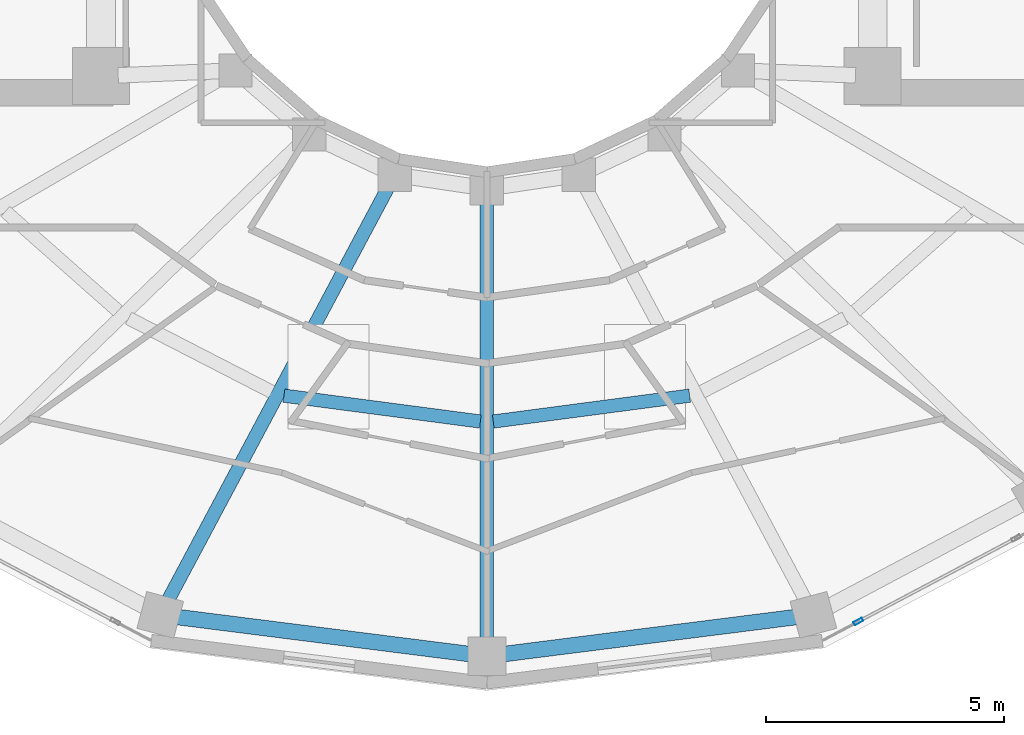
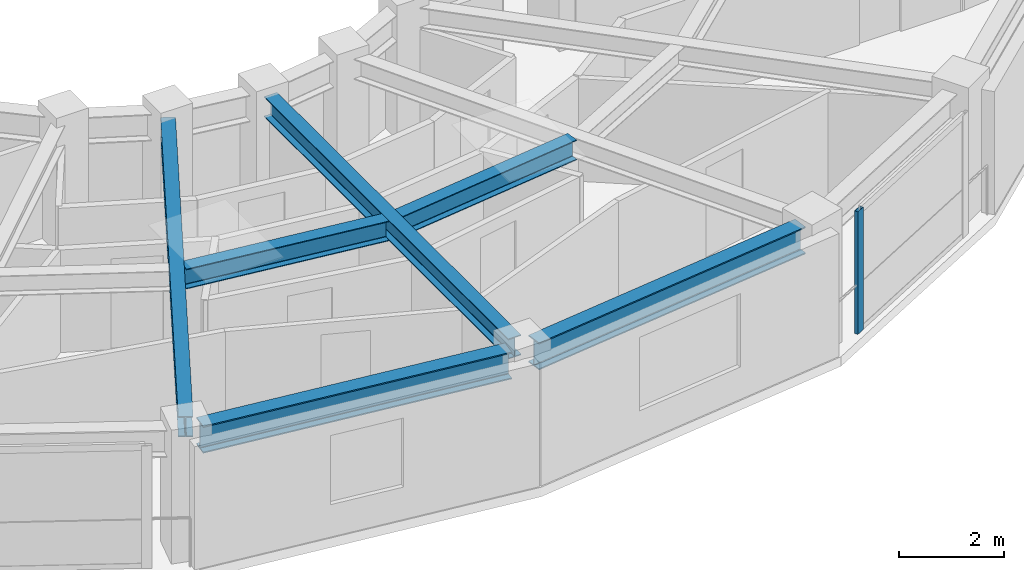
# One storey, part 3 of 16: 6 beams, 1 member, 1 element without a shape of its own.
"""IFC4 building model written with IfcOpenShell, lengths in metres."""

from ifc_helpers import new_model, si_unit, direction, frame, origin, origin_2d, place, context, subcontext, project, spatial, hollow_rectangle, i_section, extrude, material, layer, layer_set, material_profile, profile_set, type_object, element, aggregate, save


model = new_model("IFC4")

# Units and contexts
model_context = context("Model", 3, precision=1e-05, world=origin(), true_north=direction((0.0, 1.0)))
body_context = subcontext(model_context, "Body", "Model", "MODEL_VIEW")
ifc_project = project(units=[si_unit("LENGTHUNIT", "METRE"), si_unit("AREAUNIT", "SQUARE_METRE"), si_unit("VOLUMEUNIT", "CUBIC_METRE"), si_unit("PLANEANGLEUNIT", "RADIAN"), si_unit("MASSUNIT", "GRAM", prefix="KILO")], contexts=[model_context])

# Site, building, storey
site_placement = place(None, origin())
site = spatial("IfcSite", under=ifc_project, at=site_placement, CompositionType="ELEMENT")
building_placement = place(site_placement, origin())
building = spatial("IfcBuilding", under=site, at=building_placement, Name="Solvane Sanctuary Tower", CompositionType="ELEMENT")
storey_placement = place(building_placement, frame((0.0, 0.0, 226.39990234375)))
storey = spatial("IfcBuildingStorey", under=building, at=storey_placement, Name="L69", CompositionType="ELEMENT", Elevation=226.39990234375)

# Beams
ifc_material_1 = material(Name="Steel ASTM A992 Grade 50", Category="steel")
ifc_material_profile_1 = material_profile(ifc_material_1, i_section(OverallWidth=0.282958984375, OverallDepth=0.471923828125, WebThickness=0.013671875, FlangeThickness=0.022216796875, FilletRadius=0.013916015625, at=origin_2d()), Name="W18X97")
ifc_profile_set_1 = profile_set([ifc_material_profile_1], Name="Steel ASTM A992 Grade 50")
beam_type_1 = type_object("IfcBeamType", Name="Beam B-RAD-Z4 W18X97", PredefinedType="JOIST", material=ifc_profile_set_1)
beam_1_placement = place(storey_placement, frame((29.9375, 14.581298828125, 2.64208984375), z_axis=(-0.470395154587, -0.882455890422, 0.0), x_axis=(0.882455890422, -0.470395154587, 0.0)))
element("IfcBeam", 1, at=beam_1_placement, inside=storey, type_object=beam_type_1, Name="L69 Radial Composite Floor Beam 10", PredefinedType="JOIST", context=body_context, shape_type="SweptSolid", body=[
    extrude(i_section(OverallWidth=0.282958984375, OverallDepth=0.471923828125, WebThickness=0.013671875, FlangeThickness=0.022216796875, FilletRadius=0.013916015625, at=origin_2d()), origin(), (0.0, 0.0, 1.0), 9.91064453125),
])
beam_2_placement = place(storey_placement, frame((32.0, 14.260009765625, 2.64208984375), z_axis=(0.0, -1.0, 0.0), x_axis=(1.0, 0.0, 0.0)))
element("IfcBeam", 2, at=beam_2_placement, inside=storey, type_object=beam_type_1, Name="L69 Radial Composite Floor Beam 11", PredefinedType="JOIST", context=body_context, shape_type="SweptSolid", body=[
    extrude(i_section(OverallWidth=0.282958984375, OverallDepth=0.471923828125, WebThickness=0.013671875, FlangeThickness=0.022216796875, FilletRadius=0.013916015625, at=origin_2d()), origin(), (0.0, 0.0, 1.0), 9.260009765625),
])
ifc_material_profile_2 = material_profile(ifc_material_1, i_section(OverallWidth=0.280029296875, OverallDepth=0.462890625, WebThickness=0.0107421875, FlangeThickness=0.017333984375, FilletRadius=0.013916015625, at=origin_2d()), Name="W18X76")
ifc_profile_set_2 = profile_set([ifc_material_profile_2], Name="Steel ASTM A992 Grade 50")
beam_type_2 = type_object("IfcBeamType", Name="Beam B-SEC-JOIST W18X76", PredefinedType="JOIST", material=ifc_profile_set_2)
for number, where, z_axis, x_axis, name in (
    (3, (27.74169921875, 10.190673828125, 2.646484375), (0.991439902559, -0.130563852634, 0.0), (0.130563852634, 0.991439902559, 0.0), "L69 Secondary Circumferential Joist 10-11"),
    (4, (32.13525390625, 9.647705078125, 2.646484375), (0.991439902559, 0.130563852634, 0.0), (-0.130563852634, 0.991439902559, 0.0), "L69 Secondary Circumferential Joist 11-12"),
):
    element("IfcBeam", number, at=place(storey_placement, frame(where, z_axis=z_axis, x_axis=x_axis)), inside=storey, type_object=beam_type_2, Name=name, PredefinedType="JOIST", context=body_context, shape_type="SweptSolid", body=[
        extrude(i_section(OverallWidth=0.280029296875, OverallDepth=0.462890625, WebThickness=0.0107421875, FlangeThickness=0.017333984375, FilletRadius=0.013916015625, at=origin_2d()), origin(), (0.0, 0.0, 1.0), 4.15869140625),
    ])
ifc_material_profile_3 = material_profile(ifc_material_1, i_section(OverallWidth=0.327880859375, OverallDepth=0.6279296875, WebThickness=0.0166015625, FlangeThickness=0.027587890625, FilletRadius=0.01611328125, at=origin_2d()), Name="W24X146")
ifc_profile_set_3 = profile_set([ifc_material_profile_3], Name="Steel ASTM A992 Grade 50")
beam_type_3 = type_object("IfcBeamType", Name="Beam B-SPAND-Z3 W24X146", PredefinedType="SPANDREL", material=ifc_profile_set_3)
for number, where, z_axis, x_axis, name in (
    (5, (25.421630859375, 5.553466796875, 2.564208984375), (0.99206770258, -0.125704707538, 0.0), (0.125704707538, 0.99206770258, 0.0), "L69 Perimeter Spandrel Beam TC10-TC11"),
    (6, (32.27783203125, 4.755126953125, 2.564208984375), (0.99206770258, 0.125704707538, 0.0), (-0.125704707538, 0.99206770258, 0.0), "L69 Perimeter Spandrel Beam TC11-TC12"),
):
    element("IfcBeam", number, at=place(storey_placement, frame(where, z_axis=z_axis, x_axis=x_axis)), inside=storey, type_object=beam_type_3, Name=name, PredefinedType="SPANDREL", context=body_context, shape_type="SweptSolid", body=[
        extrude(i_section(OverallWidth=0.327880859375, OverallDepth=0.6279296875, WebThickness=0.0166015625, FlangeThickness=0.027587890625, FilletRadius=0.01611328125, at=origin_2d()), origin(), (0.0, 0.0, 1.0), 6.350830078125),
    ])

# Curtain wall, member
ifc_material_2 = material(Name="Anodised Aluminium 6063-T6", Category="aluminium")
ifc_layer = layer(ifc_material_2, 0.18994140625, Name="Anodised Aluminium 6063-T6")
ifc_layer_set = layer_set([ifc_layer], Name="Anodised Aluminium 6063-T6")
curtain_wall_type = type_object("IfcCurtainWallType", Name="Curtain Wall CW-OPER", PredefinedType="NOTDEFINED", material=ifc_layer_set)
curtain_wall_placement = place(storey_placement, origin())
curtain_wall = element("IfcCurtainWall", 7, at=curtain_wall_placement, inside=storey, type_object=curtain_wall_type, Name="L69 CW-OPER Facade Run 19", PredefinedType="NOTDEFINED")
ifc_material_profile_4 = material_profile(ifc_material_2, hollow_rectangle(XDim=0.074951171875, YDim=0.199951171875, WallThickness=0.00390625, at=origin_2d()), Name="ALU200X75X4")
ifc_profile_set_4 = profile_set([ifc_material_profile_4], Name="Anodised Aluminium 6063-T6")
member_type = type_object("IfcMemberType", Name="Member M-CW-MUL-1 ALU200X75X4", PredefinedType="MULLION", material=ifc_profile_set_4)
member_placement = place(storey_placement, frame((39.801025390625, 5.448974609375, 0.0), z_axis=(0.0, 0.0, 1.0), x_axis=(-0.467523293544, 0.883980752049, 0.0)))
member = element("IfcMember", 8, at=member_placement, type_object=member_type, Name="CW-OPER mullion 1", PredefinedType="MULLION", context=body_context, shape_type="SweptSolid", body=[
    extrude(hollow_rectangle(XDim=0.074951171875, YDim=0.199951171875, WallThickness=0.00390625, at=origin_2d()), origin(), (0.0, 0.0, 1.0), 2.840087890625),
])
aggregate(curtain_wall, [member])

save(model, "model.ifc")
